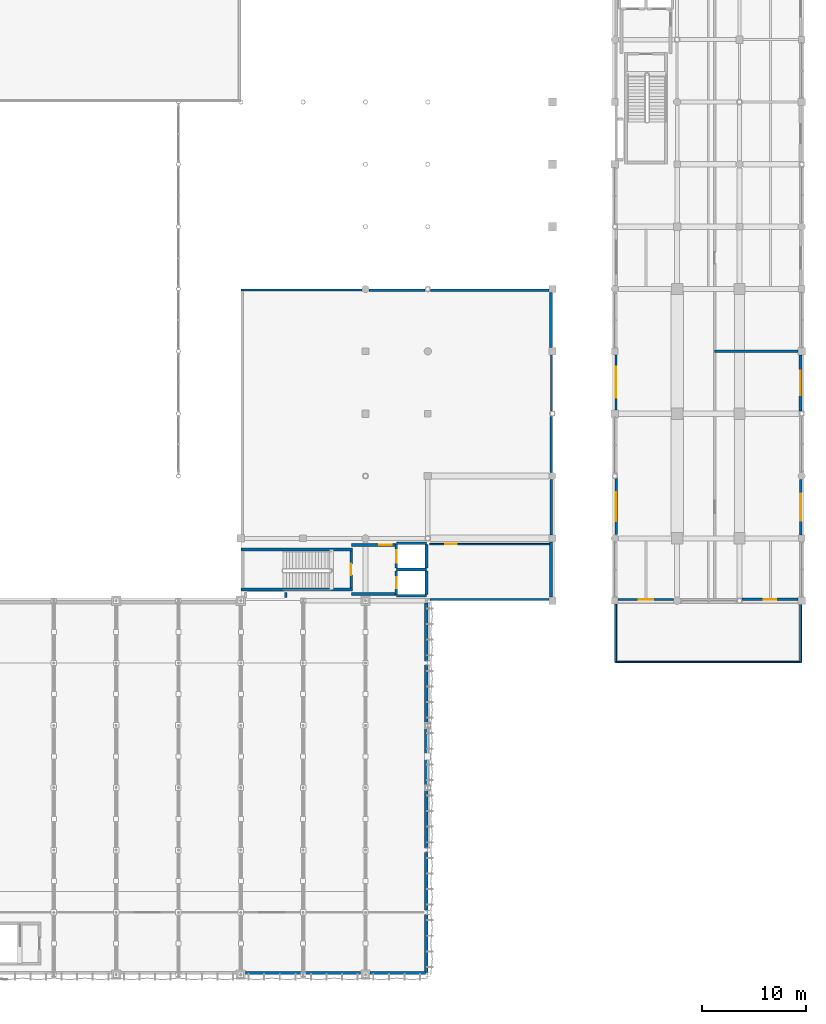
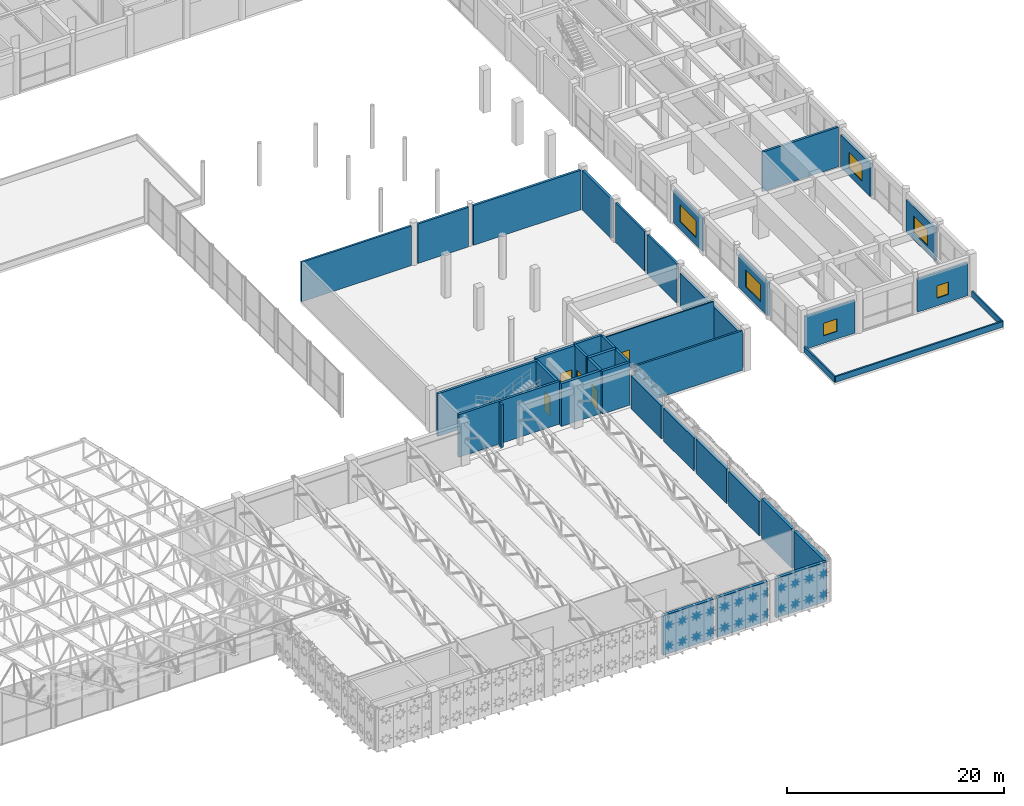
# One storey, part 102 of 123: 42 walls, 6 windows, 5 doors, 11 openings.
"""IFC4 building model written with IfcOpenShell, lengths in metres."""

from ifc_helpers import new_model, si_unit, direction, frame, frame_2d, origin, place, context, subcontext, project, spatial, rectangle, extrude, material, layer, layer_set, type_object, element, fill, save


model = new_model("IFC4")

# Units and contexts
model_context = context("Model", 3, precision=1e-05, world=origin(), true_north=direction((0.0, 1.0)))
body_context = subcontext(model_context, "Body", "Model", "MODEL_VIEW")
ifc_project = project(units=[si_unit("LENGTHUNIT", "METRE"), si_unit("AREAUNIT", "SQUARE_METRE"), si_unit("VOLUMEUNIT", "CUBIC_METRE"), si_unit("PLANEANGLEUNIT", "RADIAN"), si_unit("MASSUNIT", "GRAM", prefix="KILO"), si_unit("THERMODYNAMICTEMPERATUREUNIT", "KELVIN"), si_unit("POWERUNIT", "WATT")], contexts=[model_context])

# Site, building, storey
site_placement = place(None, origin())
site = spatial("IfcSite", under=ifc_project, at=site_placement, CompositionType="ELEMENT")
building_placement = place(site_placement, origin())
building = spatial("IfcBuilding", under=site, at=building_placement, Name="Phaisarnlok Congress Hotel", CompositionType="ELEMENT")
storey_placement = place(building_placement, frame((0.0, 0.0, 15.0)))
storey = spatial("IfcBuildingStorey", under=building, at=storey_placement, Name="L03", CompositionType="ELEMENT", Elevation=15.0)

# Walls
ifc_material_1 = material(Name="Concrete C40/50", Category="concrete")
ifc_layer_1 = layer(ifc_material_1, 0.2099609375, Name="Concrete C40/50")
ifc_layer_set_1 = layer_set([ifc_layer_1], Name="Concrete C40/50")
wall_type_1 = type_object("IfcWallType", Name="WL-EXT-210", PredefinedType="SOLIDWALL", material=ifc_layer_set_1)
wall_1_placement = place(storey_placement, frame((144.2080078125, 36.10498046875, 0.0), z_axis=(0.0, 0.0, 1.0), x_axis=(1.0, 0.0, 0.0)))
element("IfcWall", 1, at=wall_1_placement, inside=storey, type_object=wall_type_1, Name="Exterior wall EW-07 (L03)", PredefinedType="SOLIDWALL", context=body_context, shape_type="SweptSolid", body=[
    extrude(rectangle(XDim=11.43701171875, YDim=0.2099609375, at=frame_2d((5.718505859375, 0.0))), origin(), (0.0, 0.0, 1.0), 4.449951171875),
])
wall_2_placement = place(storey_placement, frame((155.89501953125, 54.259033203125, 0.0), z_axis=(0.0, 0.0, 1.0), x_axis=(0.0, 1.0, 0.0)))
element("IfcWall", 2, at=wall_2_placement, inside=storey, type_object=wall_type_1, Name="Exterior wall EW-07 (L03)", PredefinedType="SOLIDWALL", context=body_context, shape_type="SweptSolid", body=[
    extrude(rectangle(XDim=5.385986328125, YDim=0.2099609375, at=frame_2d((2.69287109375, 0.0))), origin(), (0.0, 0.0, 1.0), 4.449951171875),
])
wall_3_placement = place(storey_placement, frame((137.64501953125, 65.89501953125, 0.0), z_axis=(0.0, 0.0, 1.0), x_axis=(-1.0, 0.0, 0.0)))
element("IfcWall", 3, at=wall_3_placement, inside=storey, type_object=wall_type_1, Name="Exterior wall EW-07 (L03)", PredefinedType="SOLIDWALL", context=body_context, shape_type="SweptSolid", body=[
    extrude(rectangle(XDim=11.64501953125, YDim=0.2099609375, at=frame_2d((5.822509765625, 0.0))), origin(), (0.0, 0.0, 1.0), 4.449951171875),
])

# Wall, opening, window
wall_4_placement = place(storey_placement, frame((162.10498046875, 59.669921875, 0.0), z_axis=(0.0, 0.0, 1.0), x_axis=(0.0, -1.0, 0.0)))
wall_4 = element("IfcWall", 4, at=wall_4_placement, inside=storey, type_object=wall_type_1, Name="Exterior wall EW-07 (L03)", PredefinedType="SOLIDWALL", context=body_context, shape_type="SweptSolid", body=[
    extrude(rectangle(XDim=5.31494140625, YDim=0.2099609375, at=frame_2d((2.657470703125, 0.0))), origin(), (0.0, 0.0, 1.0), 3.699951171875),
])
opening_1_placement = place(wall_4_placement, frame((1.157958984375, 0.0, 0.85009765625)))
opening_1 = element("IfcOpeningElement", 5, at=opening_1_placement, cuts=wall_4, Name="Opening W-05", PredefinedType="OPENING", context=body_context, shape_type="SweptSolid", body=[
    extrude(rectangle(XDim=3.0, YDim=1.89990234375, at=frame_2d((1.5, 0.949951171875))), frame((0.0, 0.114990234375, 0.0), z_axis=(0.0, -1.0, 0.0), x_axis=(1.0, 0.0, 0.0)), (0.0, 0.0, 1.0), 0.22998046875),
])
ifc_material_2 = material(Name="Thermally Broken Aluminium & Low-E Double Glazing", Category="aluminium")
window_type_1 = type_object("IfcWindowType", Name="WIN-POD-3000", PartitioningType="SINGLE_PANEL", PredefinedType="WINDOW", material=ifc_material_2)
window_1_placement = place(opening_1_placement, origin())
window_1 = element("IfcWindow", 6, at=window_1_placement, inside=storey, type_object=window_type_1, Name="Podium window W-05 (L03)", OverallHeight=1.89990234375, OverallWidth=3.0, PartitioningType="SINGLE_PANEL", PredefinedType="WINDOW", context=body_context, shape_type="SweptSolid", body=[
    extrude(rectangle(XDim=3.0, YDim=1.89990234375, at=frame_2d((1.5, 0.949951171875))), frame((0.0, 0.030029296875, 0.0), z_axis=(0.0, -1.0, 0.0), x_axis=(1.0, 0.0, 0.0)), (0.0, 0.0, 1.0), 0.06005859375),
])
fill(opening_1, window_1)

wall_5_placement = place(storey_placement, frame((162.330078125, 36.10498046875, 0.0), z_axis=(0.0, 0.0, 1.0), x_axis=(1.0, 0.0, 0.0)))
wall_5 = element("IfcWall", 7, at=wall_5_placement, inside=storey, type_object=wall_type_1, Name="Exterior wall EW-07 (L03)", PredefinedType="SOLIDWALL", context=body_context, shape_type="SweptSolid", body=[
    extrude(rectangle(XDim=5.31494140625, YDim=0.2099609375, at=frame_2d((2.657470703125, 0.0))), origin(), (0.0, 0.0, 1.0), 3.699951171875),
])
opening_2_placement = place(wall_5_placement, frame((1.95703125, 0.0, 0.85009765625)))
opening_2 = element("IfcOpeningElement", 8, at=opening_2_placement, cuts=wall_5, Name="Opening W-13", PredefinedType="OPENING", context=body_context, shape_type="SweptSolid", body=[
    extrude(rectangle(XDim=1.39990234375, YDim=1.39990234375, at=frame_2d((0.699951171875, 0.699951171875))), frame((0.0, 0.114990234375, 0.0), z_axis=(0.0, -1.0, 0.0), x_axis=(1.0, 0.0, 0.0)), (0.0, 0.0, 1.0), 0.22998046875),
])
window_type_2 = type_object("IfcWindowType", Name="WIN-POD-1400", PartitioningType="SINGLE_PANEL", PredefinedType="WINDOW", material=ifc_material_2)
window_2_placement = place(opening_2_placement, origin())
window_2 = element("IfcWindow", 9, at=window_2_placement, inside=storey, type_object=window_type_2, Name="Podium window W-13 (L03)", OverallHeight=1.39990234375, OverallWidth=1.39990234375, PartitioningType="SINGLE_PANEL", PredefinedType="WINDOW", context=body_context, shape_type="SweptSolid", body=[
    extrude(rectangle(XDim=1.39990234375, YDim=1.39990234375, at=frame_2d((0.699951171875, 0.699951171875))), frame((0.0, 0.030029296875, 0.0), z_axis=(0.0, -1.0, 0.0), x_axis=(1.0, 0.0, 0.0)), (0.0, 0.0, 1.0), 0.06005859375),
])
fill(opening_2, window_2)

wall_6_placement = place(storey_placement, frame((179.89501953125, 42.330078125, 0.0), z_axis=(0.0, 0.0, 1.0), x_axis=(0.0, 1.0, 0.0)))
wall_6 = element("IfcWall", 10, at=wall_6_placement, inside=storey, type_object=wall_type_1, Name="Exterior wall EW-07 (L03)", PredefinedType="SOLIDWALL", context=body_context, shape_type="SweptSolid", body=[
    extrude(rectangle(XDim=5.31494140625, YDim=0.2099609375, at=frame_2d((2.657470703125, 0.0))), origin(), (0.0, 0.0, 1.0), 3.699951171875),
])
opening_3_placement = place(wall_6_placement, frame((1.35791015625, 0.0, 0.85009765625)))
opening_3 = element("IfcOpeningElement", 11, at=opening_3_placement, cuts=wall_6, Name="Opening W-07", PredefinedType="OPENING", context=body_context, shape_type="SweptSolid", body=[
    extrude(rectangle(XDim=2.60009765625, YDim=1.800048828125, at=frame_2d((1.300048828125, 0.89990234375))), frame((0.0, 0.114990234375, 0.0), z_axis=(0.0, -1.0, 0.0), x_axis=(1.0, 0.0, 0.0)), (0.0, 0.0, 1.0), 0.22998046875),
])
window_type_3 = type_object("IfcWindowType", Name="WIN-POD-2600", PartitioningType="SINGLE_PANEL", PredefinedType="WINDOW", material=ifc_material_2)
window_3_placement = place(opening_3_placement, origin())
window_3 = element("IfcWindow", 12, at=window_3_placement, inside=storey, type_object=window_type_3, Name="Podium window W-07 (L03)", OverallHeight=1.800048828125, OverallWidth=2.60009765625, PartitioningType="SINGLE_PANEL", PredefinedType="WINDOW", context=body_context, shape_type="SweptSolid", body=[
    extrude(rectangle(XDim=2.60009765625, YDim=1.800048828125, at=frame_2d((1.300048828125, 0.89990234375))), frame((0.0, 0.030029296875, 0.0), z_axis=(0.0, -1.0, 0.0), x_axis=(1.0, 0.0, 0.0)), (0.0, 0.0, 1.0), 0.06005859375),
])
fill(opening_3, window_3)

# Walls
ifc_layer_2 = layer(ifc_material_1, 0.22998046875, Name="Concrete C40/50")
ifc_layer_set_2 = layer_set([ifc_layer_2], Name="Concrete C40/50")
wall_type_2 = type_object("IfcWallType", Name="WL-EXT-230", PredefinedType="SOLIDWALL", material=ifc_layer_set_2)
for number, where, z_axis, x_axis, name in (
    (13, (155.885009765625, 48.35498046875, 0.0), (0.0, 0.0, 1.0), (0.0, 1.0, 0.0), "Exterior wall EW-06 (L03)"),
    (14, (143.740966796875, 65.885009765625, 0.0), (0.0, 0.0, 1.0), (-1.0, 0.0, 0.0), "Exterior wall EW-06 (L03)"),
):
    element("IfcWall", number, at=place(storey_placement, frame(where, z_axis=z_axis, x_axis=x_axis)), inside=storey, type_object=wall_type_2, Name=name, PredefinedType="SOLIDWALL", context=body_context, shape_type="SweptSolid", body=[
        extrude(rectangle(XDim=5.385986328125, YDim=0.22998046875, at=frame_2d((2.69287109375, 0.0))), origin(), (0.0, 0.0, 1.0), 4.449951171875),
    ])
ifc_layer_3 = layer(ifc_material_1, 0.25, Name="Concrete C40/50")
ifc_layer_set_3 = layer_set([ifc_layer_3], Name="Concrete C40/50")
wall_type_3 = type_object("IfcWallType", Name="WL-EXT-250", PredefinedType="SOLIDWALL", material=ifc_layer_set_3)
wall_7_placement = place(storey_placement, frame((155.875, 42.330078125, 0.0), z_axis=(0.0, 0.0, 1.0), x_axis=(0.0, 1.0, 0.0)))
element("IfcWall", 15, at=wall_7_placement, inside=storey, type_object=wall_type_3, Name="Exterior wall EW-05 (L03)", PredefinedType="SOLIDWALL", context=body_context, shape_type="SweptSolid", body=[
    extrude(rectangle(XDim=5.31494140625, YDim=0.25, at=frame_2d((2.657470703125, 0.0))), origin(), (0.0, 0.0, 1.0), 3.81005859375),
])
wall_8_placement = place(storey_placement, frame((155.669921875, 65.875, 0.0), z_axis=(0.0, 0.0, 1.0), x_axis=(-1.0, 0.0, 0.0)))
element("IfcWall", 16, at=wall_8_placement, inside=storey, type_object=wall_type_3, Name="Exterior wall EW-05 (L03)", PredefinedType="SOLIDWALL", context=body_context, shape_type="SweptSolid", body=[
    extrude(rectangle(XDim=11.410888671875, YDim=0.25, at=frame_2d((5.70556640625, 0.0))), origin(), (0.0, 0.0, 1.0), 4.449951171875),
])

# Wall, opening, window
wall_9_placement = place(storey_placement, frame((162.125, 47.740966796875, 0.0), z_axis=(0.0, 0.0, 1.0), x_axis=(0.0, -1.0, 0.0)))
wall_9 = element("IfcWall", 17, at=wall_9_placement, inside=storey, type_object=wall_type_3, Name="Exterior wall EW-05 (L03)", PredefinedType="SOLIDWALL", context=body_context, shape_type="SweptSolid", body=[
    extrude(rectangle(XDim=5.385986328125, YDim=0.25, at=frame_2d((2.69287109375, 0.0))), origin(), (0.0, 0.0, 1.0), 3.699951171875),
])
opening_4_placement = place(wall_9_placement, frame((1.29296875, 0.0, 0.85009765625)))
opening_4 = element("IfcOpeningElement", 18, at=opening_4_placement, cuts=wall_9, Name="Opening W-06", PredefinedType="OPENING", context=body_context, shape_type="SweptSolid", body=[
    extrude(rectangle(XDim=2.800048828125, YDim=1.89990234375, at=frame_2d((1.39990234375, 0.949951171875))), frame((0.0, 0.135009765625, 0.0), z_axis=(0.0, -1.0, 0.0), x_axis=(1.0, 0.0, 0.0)), (0.0, 0.0, 1.0), 0.27001953125),
])
window_type_4 = type_object("IfcWindowType", Name="WIN-POD-2800", PartitioningType="SINGLE_PANEL", PredefinedType="WINDOW", material=ifc_material_2)
window_4_placement = place(opening_4_placement, origin())
window_4 = element("IfcWindow", 19, at=window_4_placement, inside=storey, type_object=window_type_4, Name="Podium window W-06 (L03)", OverallHeight=1.89990234375, OverallWidth=2.800048828125, PartitioningType="SINGLE_PANEL", PredefinedType="WINDOW", context=body_context, shape_type="SweptSolid", body=[
    extrude(rectangle(XDim=2.800048828125, YDim=1.89990234375, at=frame_2d((1.39990234375, 0.949951171875))), frame((0.0, 0.030029296875, 0.0), z_axis=(0.0, -1.0, 0.0), x_axis=(1.0, 0.0, 0.0)), (0.0, 0.0, 1.0), 0.06005859375),
])
fill(opening_4, window_4)

wall_10_placement = place(storey_placement, frame((174.259033203125, 36.125, 0.0), z_axis=(0.0, 0.0, 1.0), x_axis=(1.0, 0.0, 0.0)))
wall_10 = element("IfcWall", 20, at=wall_10_placement, inside=storey, type_object=wall_type_3, Name="Exterior wall EW-05 (L03)", PredefinedType="SOLIDWALL", context=body_context, shape_type="SweptSolid", body=[
    extrude(rectangle(XDim=5.385986328125, YDim=0.25, at=frame_2d((2.69287109375, 0.0))), origin(), (0.0, 0.0, 1.0), 3.699951171875),
])
opening_5_placement = place(wall_10_placement, frame((2.093017578125, 0.0, 0.85009765625)))
opening_5 = element("IfcOpeningElement", 21, at=opening_5_placement, cuts=wall_10, Name="Opening W-14", PredefinedType="OPENING", context=body_context, shape_type="SweptSolid", body=[
    extrude(rectangle(XDim=1.199951171875, YDim=1.39990234375, at=frame_2d((0.60009765625, 0.699951171875))), frame((0.0, 0.135009765625, 0.0), z_axis=(0.0, -1.0, 0.0), x_axis=(1.0, 0.0, 0.0)), (0.0, 0.0, 1.0), 0.27001953125),
])
window_type_5 = type_object("IfcWindowType", Name="WIN-POD-1200", PartitioningType="SINGLE_PANEL", PredefinedType="WINDOW", material=ifc_material_2)
window_5_placement = place(opening_5_placement, origin())
window_5 = element("IfcWindow", 22, at=window_5_placement, inside=storey, type_object=window_type_5, Name="Podium window W-14 (L03)", OverallHeight=1.39990234375, OverallWidth=1.199951171875, PartitioningType="SINGLE_PANEL", PredefinedType="WINDOW", context=body_context, shape_type="SweptSolid", body=[
    extrude(rectangle(XDim=1.199951171875, YDim=1.39990234375, at=frame_2d((0.60009765625, 0.699951171875))), frame((0.0, 0.030029296875, 0.0), z_axis=(0.0, -1.0, 0.0), x_axis=(1.0, 0.0, 0.0)), (0.0, 0.0, 1.0), 0.06005859375),
])
fill(opening_5, window_5)

wall_11_placement = place(storey_placement, frame((179.875, 54.259033203125, 0.0), z_axis=(0.0, 0.0, 1.0), x_axis=(0.0, 1.0, 0.0)))
wall_11 = element("IfcWall", 23, at=wall_11_placement, inside=storey, type_object=wall_type_3, Name="Exterior wall EW-05 (L03)", PredefinedType="SOLIDWALL", context=body_context, shape_type="SweptSolid", body=[
    extrude(rectangle(XDim=5.385986328125, YDim=0.25, at=frame_2d((2.69287109375, 0.0))), origin(), (0.0, 0.0, 1.0), 3.699951171875),
])
opening_6_placement = place(wall_11_placement, frame((1.492919921875, 0.0, 0.85009765625)))
opening_6 = element("IfcOpeningElement", 24, at=opening_6_placement, cuts=wall_11, Name="Opening W-08", PredefinedType="OPENING", context=body_context, shape_type="SweptSolid", body=[
    extrude(rectangle(XDim=2.39990234375, YDim=1.800048828125, at=frame_2d((1.199951171875, 0.89990234375))), frame((0.0, 0.135009765625, 0.0), z_axis=(0.0, -1.0, 0.0), x_axis=(1.0, 0.0, 0.0)), (0.0, 0.0, 1.0), 0.27001953125),
])
window_type_6 = type_object("IfcWindowType", Name="WIN-POD-2400", PartitioningType="SINGLE_PANEL", PredefinedType="WINDOW", material=ifc_material_2)
window_6_placement = place(opening_6_placement, origin())
window_6 = element("IfcWindow", 25, at=window_6_placement, inside=storey, type_object=window_type_6, Name="Podium window W-08 (L03)", OverallHeight=1.800048828125, OverallWidth=2.39990234375, PartitioningType="SINGLE_PANEL", PredefinedType="WINDOW", context=body_context, shape_type="SweptSolid", body=[
    extrude(rectangle(XDim=2.39990234375, YDim=1.800048828125, at=frame_2d((1.199951171875, 0.89990234375))), frame((0.0, 0.030029296875, 0.0), z_axis=(0.0, -1.0, 0.0), x_axis=(1.0, 0.0, 0.0)), (0.0, 0.0, 1.0), 0.06005859375),
])
fill(opening_6, window_6)

# Walls
ifc_layer_4 = layer(ifc_material_1, 0.27001953125, Name="Concrete C40/50")
ifc_layer_set_4 = layer_set([ifc_layer_4], Name="Concrete C40/50")
wall_type_4 = type_object("IfcWallType", Name="WL-EXT-270", PredefinedType="SOLIDWALL", material=ifc_layer_set_4)
wall_12_placement = place(storey_placement, frame((155.864990234375, 36.35498046875, 0.0), z_axis=(0.0, 0.0, 1.0), x_axis=(0.0, 1.0, 0.0)))
element("IfcWall", 26, at=wall_12_placement, inside=storey, type_object=wall_type_4, Name="Exterior wall EW-04 (L03)", PredefinedType="SOLIDWALL", context=body_context, shape_type="SweptSolid", body=[
    extrude(rectangle(XDim=5.31494140625, YDim=0.27001953125, at=frame_2d((2.657470703125, 0.0))), origin(), (0.0, 0.0, 1.0), 3.81005859375),
])
wall_13_placement = place(storey_placement, frame((155.864990234375, 60.35498046875, 0.0), z_axis=(0.0, 0.0, 1.0), x_axis=(0.0, 1.0, 0.0)))
element("IfcWall", 27, at=wall_13_placement, inside=storey, type_object=wall_type_4, Name="Exterior wall EW-04 (L03)", PredefinedType="SOLIDWALL", context=body_context, shape_type="SweptSolid", body=[
    extrude(rectangle(XDim=5.31494140625, YDim=0.27001953125, at=frame_2d((2.657470703125, 0.0))), origin(), (0.0, 0.0, 1.0), 4.449951171875),
])
ifc_layer_5 = layer(ifc_material_1, 0.320068359375, Name="Concrete C40/50")
ifc_layer_set_5 = layer_set([ifc_layer_5], Name="Concrete C40/50")
wall_type_5 = type_object("IfcWallType", Name="WL-EXT-320", PredefinedType="SOLIDWALL", material=ifc_layer_set_5)
for number, where, z_axis, x_axis, name in (
    (28, (126.455078125, 0.159912109375, 0.0), (0.0, 0.0, 1.0), (1.0, 0.0, 0.0), "Exterior wall EW-02 (L03)"),
    (29, (132.2080078125, 0.159912109375, 0.0), (0.0, 0.0, 1.0), (1.0, 0.0, 0.0), "Exterior wall EW-02 (L03)"),
    (30, (138.455078125, 0.159912109375, 0.0), (0.0, 0.0, 1.0), (1.0, 0.0, 0.0), "Exterior wall EW-02 (L03)"),
):
    element("IfcWall", number, at=place(storey_placement, frame(where, z_axis=z_axis, x_axis=x_axis)), inside=storey, type_object=wall_type_5, Name=name, PredefinedType="SOLIDWALL", context=body_context, shape_type="SweptSolid", body=[
        extrude(rectangle(XDim=5.3369140625, YDim=0.320068359375, at=frame_2d((2.66845703125, 0.0))), origin(), (0.0, 0.0, 1.0), 4.449951171875),
    ])
for number, where, z_axis, x_axis, name in (
    (31, (143.840087890625, 0.212890625, 0.0), (0.0, 0.0, 1.0), (0.0, 1.0, 0.0), "Exterior wall EW-02 (L03)"),
    (32, (143.840087890625, 6.212890625, 0.0), (0.0, 0.0, 1.0), (0.0, 1.0, 0.0), "Exterior wall EW-02 (L03)"),
):
    element("IfcWall", number, at=place(storey_placement, frame(where, z_axis=z_axis, x_axis=x_axis)), inside=storey, type_object=wall_type_5, Name=name, PredefinedType="SOLIDWALL", context=body_context, shape_type="SweptSolid", body=[
        extrude(rectangle(XDim=5.57421875, YDim=0.320068359375, at=frame_2d((2.787109375, 0.0))), origin(), (0.0, 0.0, 1.0), 4.449951171875),
    ])
for number, where, z_axis, x_axis, name in (
    (33, (143.840087890625, 12.212890625, 0.0), (0.0, 0.0, 1.0), (0.0, 1.0, 0.0), "Exterior wall EW-02 (L03)"),
    (34, (143.840087890625, 18.212890625, 0.0), (0.0, 0.0, 1.0), (0.0, 1.0, 0.0), "Exterior wall EW-02 (L03)"),
):
    element("IfcWall", number, at=place(storey_placement, frame(where, z_axis=z_axis, x_axis=x_axis)), inside=storey, type_object=wall_type_5, Name=name, PredefinedType="SOLIDWALL", context=body_context, shape_type="SweptSolid", body=[
        extrude(rectangle(XDim=5.57421875, YDim=0.320068359375, at=frame_2d((2.787109375, 0.0))), origin(), (0.0, 0.0, 1.0), 3.844970703125),
    ])
for number, where, z_axis, x_axis, name in (
    (35, (143.840087890625, 24.212890625, 0.0), (0.0, 0.0, 1.0), (0.0, 1.0, 0.0), "Exterior wall EW-02 (L03)"),
    (36, (143.840087890625, 30.212890625, 0.0), (0.0, 0.0, 1.0), (0.0, 1.0, 0.0), "Exterior wall EW-02 (L03)"),
):
    element("IfcWall", number, at=place(storey_placement, frame(where, z_axis=z_axis, x_axis=x_axis)), inside=storey, type_object=wall_type_5, Name=name, PredefinedType="SOLIDWALL", context=body_context, shape_type="SweptSolid", body=[
        extrude(rectangle(XDim=5.57421875, YDim=0.320068359375, at=frame_2d((2.787109375, 0.0))), origin(), (0.0, 0.0, 1.0), 3.699951171875),
    ])

# Wall, opening, door
ifc_material_3 = material(Name="Moisture-Resistant Gypsum Partition", Category="gypsum")
ifc_layer_6 = layer(ifc_material_3, 0.135009765625, Name="Moisture-Resistant Gypsum Partition")
ifc_layer_set_6 = layer_set([ifc_layer_6], Name="Moisture-Resistant Gypsum Partition")
wall_type_6 = type_object("IfcWallType", Name="WL-INT-135", PredefinedType="PARTITIONING", material=ifc_layer_set_6)
wall_14_placement = place(storey_placement, frame((144.179931640625, 41.449951171875, 0.0), z_axis=(0.0, 0.0, 1.0), x_axis=(1.0, 0.0, 0.0)))
wall_14 = element("IfcWall", 37, at=wall_14_placement, inside=storey, type_object=wall_type_6, Name="Interior partition wall IW-06 (L03)", PredefinedType="PARTITIONING", context=body_context, shape_type="SweptSolid", body=[
    extrude(rectangle(XDim=11.545166015625, YDim=0.135009765625, at=frame_2d((5.7724609375, 0.0))), origin(), (0.0, 0.0, 1.0), 4.449951171875),
])
opening_7_placement = place(wall_14_placement, frame((1.5, 0.0, 0.0)))
opening_7 = element("IfcOpeningElement", 38, at=opening_7_placement, cuts=wall_14, Name="Opening D-0126", PredefinedType="OPENING", context=body_context, shape_type="SweptSolid", body=[
    extrude(rectangle(XDim=1.10009765625, YDim=2.14990234375, at=frame_2d((0.550048828125, 1.074951171875))), frame((0.0, 0.07763671875, 0.0), z_axis=(0.0, -1.0, 0.0), x_axis=(1.0, 0.0, 0.0)), (0.0, 0.0, 1.0), 0.155029296875),
])
ifc_material_4 = material(Name="Fire-Rated Steel Frame & Timber Leaf", Category="steel")
door_type_1 = type_object("IfcDoorType", Name="DR-FD60-1100", OperationType="NOTDEFINED", PredefinedType="DOOR", material=ifc_material_4)
door_1_placement = place(opening_7_placement, origin())
door_1 = element("IfcDoor", 39, at=door_1_placement, inside=storey, type_object=door_type_1, Name="Interior door D-0126 (L03)", OperationType="SINGLE_SWING_RIGHT", OverallHeight=2.14990234375, OverallWidth=1.10009765625, PredefinedType="DOOR", context=body_context, shape_type="SweptSolid", body=[
    extrude(rectangle(XDim=1.10009765625, YDim=2.14990234375, at=frame_2d((0.550048828125, 1.074951171875))), frame((0.0, 0.02490234375, 0.0), z_axis=(0.0, -1.0, 0.0), x_axis=(1.0, 0.0, 0.0)), (0.0, 0.0, 1.0), 0.050048828125),
])
fill(opening_7, door_1)

# Walls
ifc_layer_7 = layer(ifc_material_1, 0.239990234375, Name="Concrete C40/50")
ifc_layer_set_7 = layer_set([ifc_layer_7], Name="Concrete C40/50")
wall_type_7 = type_object("IfcWallType", Name="WL-INT-240", PredefinedType="PARTITIONING", material=ifc_layer_set_7)
wall_15_placement = place(storey_placement, frame((171.60009765625, 60.0, 0.0), z_axis=(0.0, 0.0, 1.0), x_axis=(1.0, 0.0, 0.0)))
element("IfcWall", 40, at=wall_15_placement, inside=storey, type_object=wall_type_7, Name="Interior partition wall IW-01 (L03)", PredefinedType="PARTITIONING", context=body_context, shape_type="SweptSolid", body=[
    extrude(rectangle(XDim=8.02978515625, YDim=0.239990234375, at=frame_2d((4.014892578125, 0.0))), origin(), (0.0, 0.0, 1.0), 4.449951171875),
])
ifc_layer_8 = layer(ifc_material_1, 0.169921875, Name="Concrete C40/50")
ifc_layer_set_8 = layer_set([ifc_layer_8], Name="Concrete C40/50")
wall_type_8 = type_object("IfcWallType", Name="WL-PAR-170", PredefinedType="PARAPET", material=ifc_layer_set_8)
for number, where, z_axis, x_axis, name in (
    (41, (179.909912109375, 30.090087890625, 0.0), (0.0, 0.0, 1.0), (0.0, 1.0, 0.0), "Podium roof parapet WP-02 (L03)"),
    (42, (162.090087890625, 35.699951171875, 0.0), (0.0, 0.0, 1.0), (0.0, -1.0, 0.0), "Podium roof parapet WP-02 (L03)"),
):
    element("IfcWall", number, at=place(storey_placement, frame(where, z_axis=z_axis, x_axis=x_axis)), inside=storey, type_object=wall_type_8, Name=name, PredefinedType="PARAPET", context=body_context, shape_type="SweptSolid", body=[
        extrude(rectangle(XDim=5.60986328125, YDim=0.169921875, at=frame_2d((2.804931640625, 0.0))), origin(), (0.0, 0.0, 1.0), 0.64990234375),
    ])
wall_16_placement = place(storey_placement, frame((162.090087890625, 30.090087890625, 0.0), z_axis=(0.0, 0.0, 1.0), x_axis=(1.0, 0.0, 0.0)))
element("IfcWall", 43, at=wall_16_placement, inside=storey, type_object=wall_type_8, Name="Podium roof parapet WP-02 (L03)", PredefinedType="PARAPET", context=body_context, shape_type="SweptSolid", body=[
    extrude(rectangle(XDim=17.81982421875, YDim=0.169921875, at=frame_2d((8.909912109375, 0.0))), origin(), (0.0, 0.0, 1.0), 0.64990234375),
])
ifc_material_5 = material(Name="Concrete C50/60", Category="concrete")
ifc_layer_9 = layer(ifc_material_5, 0.260009765625, Name="Concrete C50/60")
ifc_layer_set_9 = layer_set([ifc_layer_9], Name="Concrete C50/60")
wall_type_9 = type_object("IfcWallType", Name="WL-SHR-260", PredefinedType="SHEAR", material=ifc_layer_set_9)
for number, where, z_axis, x_axis, name in (
    (44, (126.0400390625, 37.070068359375, 0.0), (0.0, 0.0, 1.0), (1.0, 0.0, 0.0), "Stair shaft shear wall SW-04 (CORE-6 L03)"),
    (45, (126.0400390625, 40.929931640625, 0.0), (0.0, 0.0, 1.0), (1.0, 0.0, 0.0), "Stair shaft shear wall SW-04 (CORE-6 L03)"),
):
    element("IfcWall", number, at=place(storey_placement, frame(where, z_axis=z_axis, x_axis=x_axis)), inside=storey, type_object=wall_type_9, Name=name, PredefinedType="SHEAR", context=body_context, shape_type="SweptSolid", body=[
        extrude(rectangle(XDim=10.719970703125, YDim=0.260009765625, at=frame_2d((5.35986328125, 0.0))), origin(), (0.0, 0.0, 1.0), 4.800048828125),
    ])

# Wall, opening, door
wall_17_placement = place(storey_placement, frame((136.6298828125, 37.199951171875, 0.0), z_axis=(0.0, 0.0, 1.0), x_axis=(0.0, 1.0, 0.0)))
wall_17 = element("IfcWall", 46, at=wall_17_placement, inside=storey, type_object=wall_type_9, Name="Stair shaft shear wall SW-04 (CORE-6 L03)", PredefinedType="SHEAR", context=body_context, shape_type="SweptSolid", body=[
    extrude(rectangle(XDim=3.60009765625, YDim=0.260009765625, at=frame_2d((1.800048828125, 0.0))), origin(), (0.0, 0.0, 1.0), 4.800048828125),
])
opening_8_placement = place(wall_17_placement, frame((1.25, 0.0, 0.0)))
opening_8 = element("IfcOpeningElement", 47, at=opening_8_placement, cuts=wall_17, Name="Opening FD-137", PredefinedType="OPENING", context=body_context, shape_type="SweptSolid", body=[
    extrude(rectangle(XDim=1.10009765625, YDim=2.14990234375, at=frame_2d((0.550048828125, 1.074951171875))), frame((0.0, 0.14013671875, 0.0), z_axis=(0.0, -1.0, 0.0), x_axis=(1.0, 0.0, 0.0)), (0.0, 0.0, 1.0), 0.280029296875),
])
door_2_placement = place(opening_8_placement, origin())
door_2 = element("IfcDoor", 48, at=door_2_placement, inside=storey, type_object=door_type_1, Name="Stair enclosure fire door FD-137 (L03)", OperationType="SINGLE_SWING_RIGHT", OverallHeight=2.14990234375, OverallWidth=1.10009765625, PredefinedType="DOOR", context=body_context, shape_type="SweptSolid", body=[
    extrude(rectangle(XDim=1.10009765625, YDim=2.14990234375, at=frame_2d((0.550048828125, 1.074951171875))), frame((0.0, 0.02490234375, 0.0), z_axis=(0.0, -1.0, 0.0), x_axis=(1.0, 0.0, 0.0)), (0.0, 0.0, 1.0), 0.050048828125),
])
fill(opening_8, door_2)

# Walls
wall_18_placement = place(storey_placement, frame((140.969970703125, 36.469970703125, 0.0), z_axis=(0.0, 0.0, 1.0), x_axis=(1.0, 0.0, 0.0)))
element("IfcWall", 49, at=wall_18_placement, inside=storey, type_object=wall_type_9, Name="Lift shaft shear wall SW-04 (LF-CP2 L03)", PredefinedType="SHEAR", context=body_context, shape_type="SweptSolid", body=[
    extrude(rectangle(XDim=2.909912109375, YDim=0.260009765625, at=frame_2d((1.455078125, 0.0))), origin(), (0.0, 0.0, 1.0), 4.800048828125),
])
wall_19_placement = place(storey_placement, frame((143.8798828125, 36.60009765625, 0.0), z_axis=(0.0, 0.0, 1.0), x_axis=(0.0, 1.0, 0.0)))
element("IfcWall", 50, at=wall_19_placement, inside=storey, type_object=wall_type_9, Name="Lift shaft shear wall SW-04 (LF-CP2 L03)", PredefinedType="SHEAR", context=body_context, shape_type="SweptSolid", body=[
    extrude(rectangle(XDim=2.25, YDim=0.260009765625, at=frame_2d((1.125, 0.0))), origin(), (0.0, 0.0, 1.0), 4.800048828125),
])

# Wall, opening, door
wall_20_placement = place(storey_placement, frame((140.969970703125, 36.60009765625, 0.0), z_axis=(0.0, 0.0, 1.0), x_axis=(0.0, 1.0, 0.0)))
wall_20 = element("IfcWall", 51, at=wall_20_placement, inside=storey, type_object=wall_type_9, Name="Lift shaft front wall SW-04 (LF-CP2 L03)", PredefinedType="SHEAR", context=body_context, shape_type="SweptSolid", body=[
    extrude(rectangle(XDim=2.25, YDim=0.260009765625, at=frame_2d((1.125, 0.0))), origin(), (0.0, 0.0, 1.0), 4.800048828125),
])
opening_9_placement = place(wall_20_placement, frame((0.574951171875, 0.0, 0.0)))
opening_9 = element("IfcOpeningElement", 52, at=opening_9_placement, cuts=wall_20, Name="Opening LD-122", PredefinedType="OPENING", context=body_context, shape_type="SweptSolid", body=[
    extrude(rectangle(XDim=1.10009765625, YDim=2.199951171875, at=frame_2d((0.550048828125, 1.10009765625))), frame((0.0, 0.14013671875, 0.0), z_axis=(0.0, -1.0, 0.0), x_axis=(1.0, 0.0, 0.0)), (0.0, 0.0, 1.0), 0.280029296875),
])
ifc_material_6 = material(Name="Brushed Stainless Steel Grade 304", Category="steel")
door_type_2 = type_object("IfcDoorType", Name="DR-LD-1100", OperationType="DOUBLE_DOOR_SLIDING", PredefinedType="DOOR", material=ifc_material_6)
door_3_placement = place(opening_9_placement, origin())
door_3 = element("IfcDoor", 53, at=door_3_placement, inside=storey, type_object=door_type_2, Name="Lift landing sliding door LD-122 (LF-CP2 L03)", OperationType="DOUBLE_DOOR_SLIDING", OverallHeight=2.199951171875, OverallWidth=1.10009765625, PredefinedType="DOOR", context=body_context, shape_type="SweptSolid", body=[
    extrude(rectangle(XDim=1.10009765625, YDim=2.199951171875, at=frame_2d((0.550048828125, 1.10009765625))), frame((0.0, 0.02490234375, 0.0), z_axis=(0.0, -1.0, 0.0), x_axis=(1.0, 0.0, 0.0)), (0.0, 0.0, 1.0), 0.050048828125),
])
fill(opening_9, door_3)

# Walls
wall_21_placement = place(storey_placement, frame((140.969970703125, 41.530029296875, 0.0), z_axis=(0.0, 0.0, 1.0), x_axis=(1.0, 0.0, 0.0)))
element("IfcWall", 54, at=wall_21_placement, inside=storey, type_object=wall_type_9, Name="Lift shaft shear wall SW-04 (LF-SV2 L03)", PredefinedType="SHEAR", context=body_context, shape_type="SweptSolid", body=[
    extrude(rectangle(XDim=2.909912109375, YDim=0.260009765625, at=frame_2d((1.455078125, 0.0))), origin(), (0.0, 0.0, 1.0), 4.800048828125),
])
wall_22_placement = place(storey_placement, frame((143.8798828125, 39.14990234375, 0.0), z_axis=(0.0, 0.0, 1.0), x_axis=(0.0, 1.0, 0.0)))
element("IfcWall", 55, at=wall_22_placement, inside=storey, type_object=wall_type_9, Name="Lift shaft shear wall SW-04 (LF-SV2 L03)", PredefinedType="SHEAR", context=body_context, shape_type="SweptSolid", body=[
    extrude(rectangle(XDim=2.25, YDim=0.260009765625, at=frame_2d((1.125, 0.0))), origin(), (0.0, 0.0, 1.0), 4.800048828125),
])

# Wall, opening, door
wall_23_placement = place(storey_placement, frame((140.969970703125, 39.14990234375, 0.0), z_axis=(0.0, 0.0, 1.0), x_axis=(0.0, 1.0, 0.0)))
wall_23 = element("IfcWall", 56, at=wall_23_placement, inside=storey, type_object=wall_type_9, Name="Lift shaft front wall SW-04 (LF-SV2 L03)", PredefinedType="SHEAR", context=body_context, shape_type="SweptSolid", body=[
    extrude(rectangle(XDim=2.25, YDim=0.260009765625, at=frame_2d((1.125, 0.0))), origin(), (0.0, 0.0, 1.0), 4.800048828125),
])
opening_10_placement = place(wall_23_placement, frame((0.52490234375, 0.0, 0.0)))
opening_10 = element("IfcOpeningElement", 57, at=opening_10_placement, cuts=wall_23, Name="Opening LD-128", PredefinedType="OPENING", context=body_context, shape_type="SweptSolid", body=[
    extrude(rectangle(XDim=1.199951171875, YDim=2.25, at=frame_2d((0.60009765625, 1.125))), frame((0.0, 0.14013671875, 0.0), z_axis=(0.0, -1.0, 0.0), x_axis=(1.0, 0.0, 0.0)), (0.0, 0.0, 1.0), 0.280029296875),
])
door_type_3 = type_object("IfcDoorType", Name="DR-LD-1200", OperationType="DOUBLE_DOOR_SLIDING", PredefinedType="DOOR", material=ifc_material_6)
door_4_placement = place(opening_10_placement, origin())
door_4 = element("IfcDoor", 58, at=door_4_placement, inside=storey, type_object=door_type_3, Name="Lift landing sliding door LD-128 (LF-SV2 L03)", OperationType="DOUBLE_DOOR_SLIDING", OverallHeight=2.25, OverallWidth=1.199951171875, PredefinedType="DOOR", context=body_context, shape_type="SweptSolid", body=[
    extrude(rectangle(XDim=1.199951171875, YDim=2.25, at=frame_2d((0.60009765625, 1.125))), frame((0.0, 0.02490234375, 0.0), z_axis=(0.0, -1.0, 0.0), x_axis=(1.0, 0.0, 0.0)), (0.0, 0.0, 1.0), 0.050048828125),
])
fill(opening_10, door_4)

# Walls
wall_24_placement = place(storey_placement, frame((130.330078125, 36.330078125, 0.0), z_axis=(0.0, 0.0, 1.0), x_axis=(0.0, 1.0, 0.0)))
element("IfcWall", 59, at=wall_24_placement, inside=storey, type_object=wall_type_9, Name="Service riser shaft wall SW-04 (CORE-6 L03)", PredefinedType="SHEAR", context=body_context, shape_type="SweptSolid", body=[
    extrude(rectangle(XDim=0.43994140625, YDim=0.260009765625, at=frame_2d((0.219970703125, 0.0))), origin(), (0.0, 0.0, 1.0), 4.800048828125),
])
ifc_layer_10 = layer(ifc_material_5, 0.300048828125, Name="Concrete C50/60")
ifc_layer_set_10 = layer_set([ifc_layer_10], Name="Concrete C50/60")
wall_type_10 = type_object("IfcWallType", Name="WL-SHR-300", PredefinedType="SHEAR", material=ifc_layer_set_10)
wall_25_placement = place(storey_placement, frame((140.969970703125, 39.0, 0.0), z_axis=(0.0, 0.0, 1.0), x_axis=(1.0, 0.0, 0.0)))
element("IfcWall", 60, at=wall_25_placement, inside=storey, type_object=wall_type_10, Name="Lift shaft divider shear wall SW-03 (LF-CP2 L03)", PredefinedType="SHEAR", context=body_context, shape_type="SweptSolid", body=[
    extrude(rectangle(XDim=2.909912109375, YDim=0.300048828125, at=frame_2d((1.455078125, 0.0))), origin(), (0.0, 0.0, 1.0), 4.800048828125),
])

# Wall, opening, door
wall_26_placement = place(storey_placement, frame((136.679931640625, 41.35009765625, 0.0), z_axis=(0.0, 0.0, 1.0), x_axis=(1.0, 0.0, 0.0)))
wall_26 = element("IfcWall", 61, at=wall_26_placement, inside=storey, type_object=wall_type_10, Name="Core lobby EI-120 wall SW-03 (CORE-6 L03)", PredefinedType="SHEAR", context=body_context, shape_type="SweptSolid", body=[
    extrude(rectangle(XDim=4.239990234375, YDim=0.300048828125, at=frame_2d((2.1201171875, 0.0))), origin(), (0.0, 0.0, 1.0), 4.800048828125),
])
opening_11_placement = place(wall_26_placement, frame((2.64990234375, 0.0, 0.0)))
opening_11 = element("IfcOpeningElement", 62, at=opening_11_placement, cuts=wall_26, Name="Opening FD-143", PredefinedType="OPENING", context=body_context, shape_type="SweptSolid", body=[
    extrude(rectangle(XDim=1.199951171875, YDim=2.199951171875, at=frame_2d((0.60009765625, 1.10009765625))), frame((0.0, 0.16015625, 0.0), z_axis=(0.0, -1.0, 0.0), x_axis=(1.0, 0.0, 0.0)), (0.0, 0.0, 1.0), 0.320068359375),
])
door_type_4 = type_object("IfcDoorType", Name="DR-FD60-1200", OperationType="NOTDEFINED", PredefinedType="DOOR", material=ifc_material_4)
door_5_placement = place(opening_11_placement, origin())
door_5 = element("IfcDoor", 63, at=door_5_placement, inside=storey, type_object=door_type_4, Name="Firefighting lobby entrance door FD-143 (CORE-6 L03)", OperationType="SINGLE_SWING_RIGHT", OverallHeight=2.199951171875, OverallWidth=1.199951171875, PredefinedType="DOOR", context=body_context, shape_type="SweptSolid", body=[
    extrude(rectangle(XDim=1.199951171875, YDim=2.199951171875, at=frame_2d((0.60009765625, 1.10009765625))), frame((0.0, 0.02490234375, 0.0), z_axis=(0.0, -1.0, 0.0), x_axis=(1.0, 0.0, 0.0)), (0.0, 0.0, 1.0), 0.050048828125),
])
fill(opening_11, door_5)

# Wall
wall_27_placement = place(storey_placement, frame((136.679931640625, 36.64990234375, 0.0), z_axis=(0.0, 0.0, 1.0), x_axis=(1.0, 0.0, 0.0)))
element("IfcWall", 64, at=wall_27_placement, inside=storey, type_object=wall_type_10, Name="Core lobby EI-120 wall SW-03 (CORE-6 L03)", PredefinedType="SHEAR", context=body_context, shape_type="SweptSolid", body=[
    extrude(rectangle(XDim=4.239990234375, YDim=0.300048828125, at=frame_2d((2.1201171875, 0.0))), origin(), (0.0, 0.0, 1.0), 4.800048828125),
])

save(model, "model.ifc")
